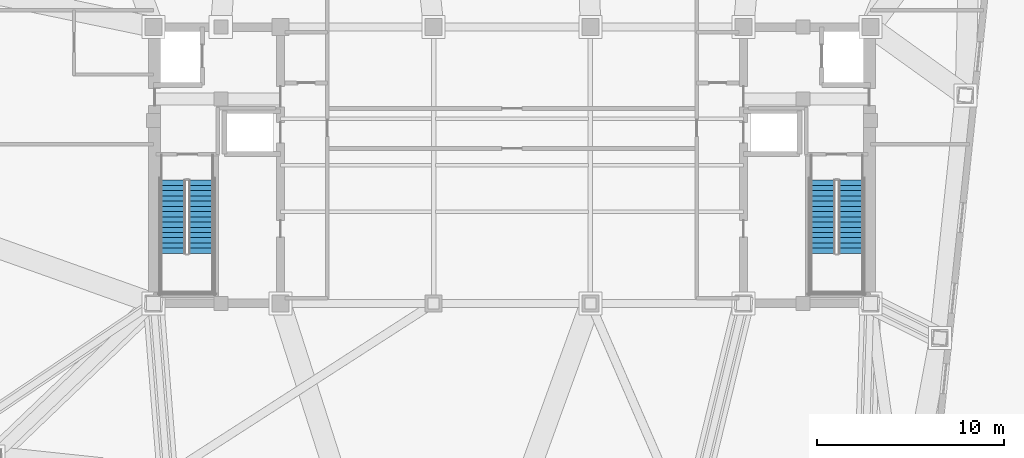
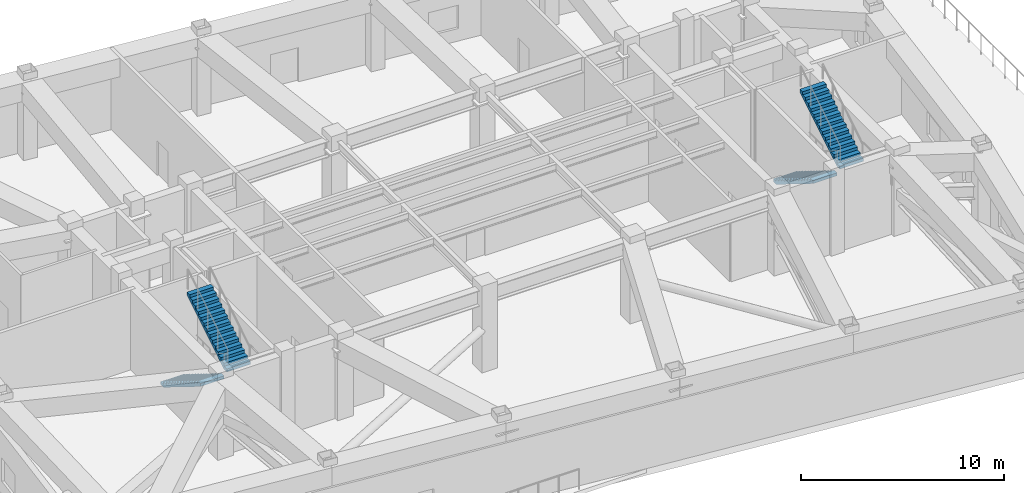
# One storey, part 6 of 9: 4 stair flights, 2 elements without a shape of their own.
"""IFC4 building model written with IfcOpenShell, lengths in metres."""

from ifc_helpers import new_model, si_unit, direction, frame, origin, place, context, subcontext, project, spatial, polyline, outline, extrude, material, type_object, element, aggregate, save


model = new_model("IFC4")

# Units and contexts
model_context = context("Model", 3, precision=1e-05, world=origin(), true_north=direction((0.0, 1.0)))
body_context = subcontext(model_context, "Body", "Model", "MODEL_VIEW")
ifc_project = project(units=[si_unit("LENGTHUNIT", "METRE"), si_unit("AREAUNIT", "SQUARE_METRE"), si_unit("VOLUMEUNIT", "CUBIC_METRE"), si_unit("PLANEANGLEUNIT", "RADIAN"), si_unit("MASSUNIT", "GRAM", prefix="KILO")], contexts=[model_context])

# Site, building, storey
site_placement = place(None, origin())
site = spatial("IfcSite", under=ifc_project, at=site_placement, CompositionType="ELEMENT")
building_placement = place(site_placement, origin())
building = spatial("IfcBuilding", under=site, at=building_placement, Name="Voryun Gate Residences", CompositionType="ELEMENT")
storey_placement = place(building_placement, frame((0.0, 0.0, 254.800048828125)))
storey = spatial("IfcBuildingStorey", under=building, at=storey_placement, Name="L63", CompositionType="ELEMENT", Elevation=254.800048828125)

# Stair, stair flights
ifc_material_1 = material(Name="Concrete C40/50", Category="concrete")
stair_type = type_object("IfcStairType", Name="STR_CORE_DOGLEG_1350", PredefinedType="HALF_TURN_STAIR", material=ifc_material_1)
stair_1_placement = place(storey_placement, origin())
stair_1 = element("IfcStair", 1, at=stair_1_placement, inside=storey, type_object=stair_type, Name="L63 Special Escape Stair ST-W1", PredefinedType="HALF_TURN_STAIR")
ifc_material_2 = material(Name="Concrete C40/50", Category="concrete")
stair_flight_type = type_object("IfcStairFlightType", Name="FLT_CORE_1350", PredefinedType="STRAIGHT", material=ifc_material_2)
stair_flight_1_placement = place(storey_placement, frame((-18.14990234375, -0.800048828125, 0.0), z_axis=(0.0, 0.0, 1.0), x_axis=(0.0, -1.0, 0.0)))
stair_flight_1 = element("IfcStairFlight", 2, at=stair_flight_1_placement, type_object=stair_flight_type, Name="ST-W1 flight 1", NumberOfRisers=15, NumberOfTreads=14, PredefinedType="STRAIGHT", RiserHeight=0.173333333, TreadLength=0.28, context=body_context, shape_type="SweptSolid", body=[
    extrude(outline(polyline([(0.0, 0.0), (0.0, 0.17333984375), (0.280029296875, 0.17333984375), (0.280029296875, 0.3466796875), (0.56005859375, 0.3466796875), (0.56005859375, 0.52001953125), (0.840087890625, 0.52001953125), (0.840087890625, 0.693359375), (1.1201171875, 0.693359375), (1.1201171875, 0.86669921875), (1.39990234375, 0.86669921875), (1.39990234375, 1.0400390625), (1.679931640625, 1.0400390625), (1.679931640625, 1.21337890625), (1.9599609375, 1.21337890625), (1.9599609375, 1.38671875), (2.239990234375, 1.38671875), (2.239990234375, 1.56005859375), (2.52001953125, 1.56005859375), (2.52001953125, 1.7333984375), (2.800048828125, 1.7333984375), (2.800048828125, 1.90673828125), (3.080078125, 1.90673828125), (3.080078125, 2.080078125), (3.360107421875, 2.080078125), (3.360107421875, 2.25341796875), (3.639892578125, 2.25341796875), (3.639892578125, 2.4267578125), (3.919921875, 2.4267578125), (3.919921875, 2.60009765625), (3.919921875, 2.250244140625), (0.284912109375, 0.0), (0.0, 0.0)])), frame((0.0, 0.675048828125, 0.0), z_axis=(0.0, -1.0, 0.0), x_axis=(1.0, 0.0, 0.0)), (0.0, 0.0, 1.0), 1.35009765625),
])
stair_flight_2_placement = place(storey_placement, frame((-16.64990234375, -4.719970703125, 2.599853515625), z_axis=(0.0, 0.0, 1.0), x_axis=(0.0, 1.0, 0.0)))
stair_flight_2 = element("IfcStairFlight", 3, at=stair_flight_2_placement, type_object=stair_flight_type, Name="ST-W1 flight 2", NumberOfRisers=15, NumberOfTreads=14, PredefinedType="STRAIGHT", RiserHeight=0.173333333, TreadLength=0.28, context=body_context, shape_type="SweptSolid", body=[
    extrude(outline(polyline([(0.0, 0.0), (0.0, 0.17333984375), (0.280029296875, 0.17333984375), (0.280029296875, 0.3466796875), (0.56005859375, 0.3466796875), (0.56005859375, 0.52001953125), (0.840087890625, 0.52001953125), (0.840087890625, 0.693359375), (1.1201171875, 0.693359375), (1.1201171875, 0.86669921875), (1.39990234375, 0.86669921875), (1.39990234375, 1.0400390625), (1.679931640625, 1.0400390625), (1.679931640625, 1.21337890625), (1.9599609375, 1.21337890625), (1.9599609375, 1.38671875), (2.239990234375, 1.38671875), (2.239990234375, 1.56005859375), (2.52001953125, 1.56005859375), (2.52001953125, 1.7333984375), (2.800048828125, 1.7333984375), (2.800048828125, 1.90673828125), (3.080078125, 1.90673828125), (3.080078125, 2.080078125), (3.360107421875, 2.080078125), (3.360107421875, 2.25341796875), (3.639892578125, 2.25341796875), (3.639892578125, 2.4267578125), (3.919921875, 2.4267578125), (3.919921875, 2.60009765625), (3.919921875, 2.250244140625), (0.284912109375, 0.0), (0.0, 0.0)])), frame((0.0, 0.675048828125, 0.0), z_axis=(0.0, -1.0, 0.0), x_axis=(1.0, 0.0, 0.0)), (0.0, 0.0, 1.0), 1.35009765625),
])
aggregate(stair_1, [stair_flight_1, stair_flight_2])

stair_2_placement = place(storey_placement, origin())
stair_2 = element("IfcStair", 4, at=stair_2_placement, inside=storey, type_object=stair_type, Name="L63 Special Escape Stair ST-E1", PredefinedType="HALF_TURN_STAIR")
stair_flight_3_placement = place(storey_placement, frame((16.64990234375, -0.800048828125, 0.0), z_axis=(0.0, 0.0, 1.0), x_axis=(0.0, -1.0, 0.0)))
stair_flight_3 = element("IfcStairFlight", 5, at=stair_flight_3_placement, type_object=stair_flight_type, Name="ST-E1 flight 1", NumberOfRisers=15, NumberOfTreads=14, PredefinedType="STRAIGHT", RiserHeight=0.173333333, TreadLength=0.28, context=body_context, shape_type="SweptSolid", body=[
    extrude(outline(polyline([(0.0, 0.0), (0.0, 0.17333984375), (0.280029296875, 0.17333984375), (0.280029296875, 0.3466796875), (0.56005859375, 0.3466796875), (0.56005859375, 0.52001953125), (0.840087890625, 0.52001953125), (0.840087890625, 0.693359375), (1.1201171875, 0.693359375), (1.1201171875, 0.86669921875), (1.39990234375, 0.86669921875), (1.39990234375, 1.0400390625), (1.679931640625, 1.0400390625), (1.679931640625, 1.21337890625), (1.9599609375, 1.21337890625), (1.9599609375, 1.38671875), (2.239990234375, 1.38671875), (2.239990234375, 1.56005859375), (2.52001953125, 1.56005859375), (2.52001953125, 1.7333984375), (2.800048828125, 1.7333984375), (2.800048828125, 1.90673828125), (3.080078125, 1.90673828125), (3.080078125, 2.080078125), (3.360107421875, 2.080078125), (3.360107421875, 2.25341796875), (3.639892578125, 2.25341796875), (3.639892578125, 2.4267578125), (3.919921875, 2.4267578125), (3.919921875, 2.60009765625), (3.919921875, 2.250244140625), (0.284912109375, 0.0), (0.0, 0.0)])), frame((0.0, 0.675048828125, 0.0), z_axis=(0.0, -1.0, 0.0), x_axis=(1.0, 0.0, 0.0)), (0.0, 0.0, 1.0), 1.35009765625),
])
stair_flight_4_placement = place(storey_placement, frame((18.14990234375, -4.719970703125, 2.599853515625), z_axis=(0.0, 0.0, 1.0), x_axis=(0.0, 1.0, 0.0)))
stair_flight_4 = element("IfcStairFlight", 6, at=stair_flight_4_placement, type_object=stair_flight_type, Name="ST-E1 flight 2", NumberOfRisers=15, NumberOfTreads=14, PredefinedType="STRAIGHT", RiserHeight=0.173333333, TreadLength=0.28, context=body_context, shape_type="SweptSolid", body=[
    extrude(outline(polyline([(0.0, 0.0), (0.0, 0.17333984375), (0.280029296875, 0.17333984375), (0.280029296875, 0.3466796875), (0.56005859375, 0.3466796875), (0.56005859375, 0.52001953125), (0.840087890625, 0.52001953125), (0.840087890625, 0.693359375), (1.1201171875, 0.693359375), (1.1201171875, 0.86669921875), (1.39990234375, 0.86669921875), (1.39990234375, 1.0400390625), (1.679931640625, 1.0400390625), (1.679931640625, 1.21337890625), (1.9599609375, 1.21337890625), (1.9599609375, 1.38671875), (2.239990234375, 1.38671875), (2.239990234375, 1.56005859375), (2.52001953125, 1.56005859375), (2.52001953125, 1.7333984375), (2.800048828125, 1.7333984375), (2.800048828125, 1.90673828125), (3.080078125, 1.90673828125), (3.080078125, 2.080078125), (3.360107421875, 2.080078125), (3.360107421875, 2.25341796875), (3.639892578125, 2.25341796875), (3.639892578125, 2.4267578125), (3.919921875, 2.4267578125), (3.919921875, 2.60009765625), (3.919921875, 2.250244140625), (0.284912109375, 0.0), (0.0, 0.0)])), frame((0.0, 0.675048828125, 0.0), z_axis=(0.0, -1.0, 0.0), x_axis=(1.0, 0.0, 0.0)), (0.0, 0.0, 1.0), 1.35009765625),
])
aggregate(stair_2, [stair_flight_3, stair_flight_4])

save(model, "model.ifc")
